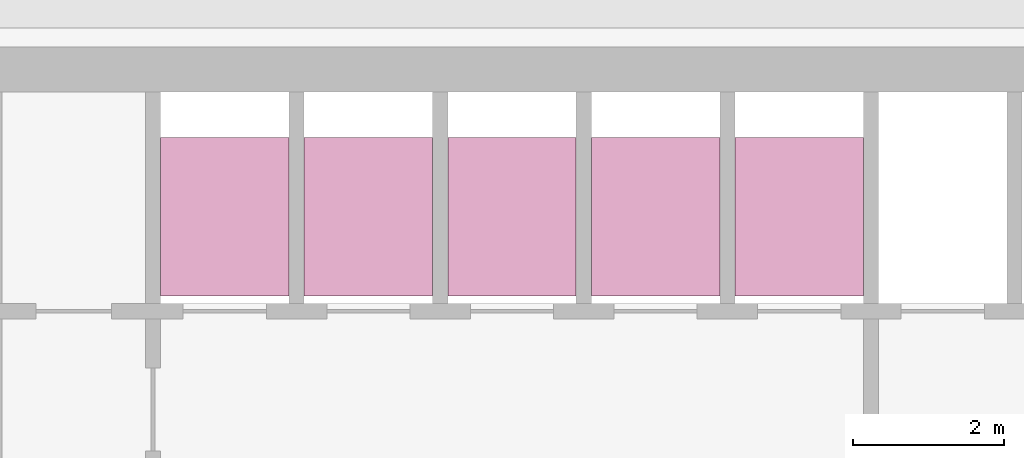
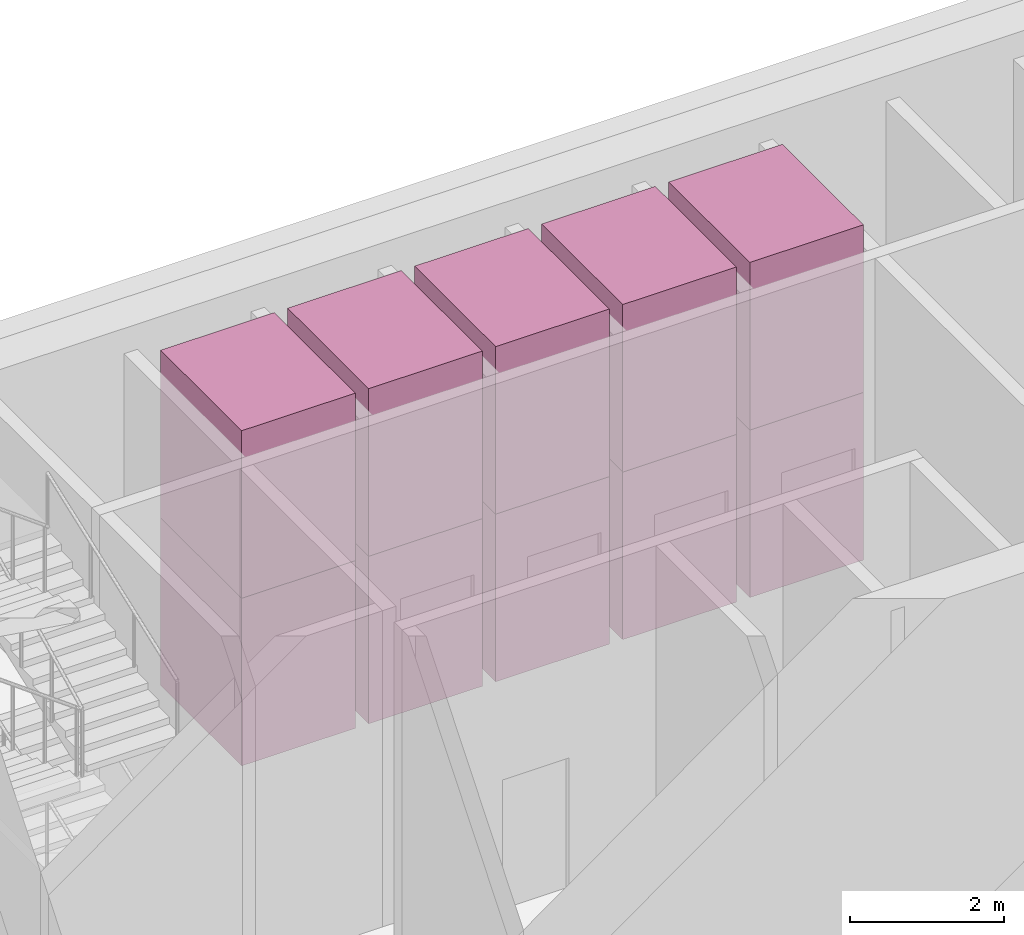
# One storey, part 10 of 10: 10 transport elements.
"""IFC4 building model written with IfcOpenShell, lengths in metres."""

from ifc_helpers import new_model, si_unit, direction, frame, origin, origin_2d, place, context, subcontext, project, spatial, rectangle, extrude, material, type_object, element, save


model = new_model("IFC4")

# Units and contexts
model_context = context("Model", 3, precision=1e-05, world=origin(), true_north=direction((0.0, 1.0)))
body_context = subcontext(model_context, "Body", "Model", "MODEL_VIEW")
ifc_project = project(units=[si_unit("LENGTHUNIT", "METRE"), si_unit("AREAUNIT", "SQUARE_METRE"), si_unit("VOLUMEUNIT", "CUBIC_METRE"), si_unit("PLANEANGLEUNIT", "RADIAN"), si_unit("MASSUNIT", "GRAM", prefix="KILO")], contexts=[model_context])

# Site, building, storey
site_placement = place(None, origin())
site = spatial("IfcSite", under=ifc_project, at=site_placement, CompositionType="ELEMENT")
building_placement = place(site_placement, origin())
building = spatial("IfcBuilding", under=site, at=building_placement, Name="Altiplano Prism Tower", CompositionType="ELEMENT")
storey_placement = place(building_placement, frame((0.0, 0.0, 233.800048828125)))
storey = spatial("IfcBuildingStorey", under=building, at=storey_placement, Name="L60", CompositionType="ELEMENT", Elevation=233.800048828125)

# Transport elements
ifc_material = material(Name="Stainless steel lift car", Category="steel")
transport_element_type = type_object("IfcTransportElementType", Name="Passenger lift car 1600 x 2100", PredefinedType="ELEVATOR", material=ifc_material)
for number, where, z_axis, x_axis, name in (
    (1, (79.050048828125, 101.75, 0.050048828125), (0.0, 0.0, 1.0), (1.0, 0.0, 0.0), "High Zone Passenger Lift 1"),
    (2, (79.050048828125, 101.75, 2.699951171875), (0.0, 0.0, 1.0), (1.0, 0.0, 0.0), "High Zone Passenger Lift 1"),
    (3, (80.949951171875, 101.75, 0.050048828125), (0.0, 0.0, 1.0), (1.0, 0.0, 0.0), "High Zone Passenger Lift 2"),
    (4, (80.949951171875, 101.75, 2.699951171875), (0.0, 0.0, 1.0), (1.0, 0.0, 0.0), "High Zone Passenger Lift 2"),
    (5, (82.85009765625, 101.75, 0.050048828125), (0.0, 0.0, 1.0), (1.0, 0.0, 0.0), "High Zone Passenger Lift 3"),
    (6, (82.85009765625, 101.75, 2.699951171875), (0.0, 0.0, 1.0), (1.0, 0.0, 0.0), "High Zone Passenger Lift 3"),
    (7, (84.75, 101.75, 0.050048828125), (0.0, 0.0, 1.0), (1.0, 0.0, 0.0), "High Zone Passenger Lift 4"),
    (8, (84.75, 101.75, 2.699951171875), (0.0, 0.0, 1.0), (1.0, 0.0, 0.0), "High Zone Passenger Lift 4"),
    (9, (86.64990234375, 101.75, 0.050048828125), (0.0, 0.0, 1.0), (1.0, 0.0, 0.0), "High Zone Passenger Lift 5"),
    (10, (86.64990234375, 101.75, 2.699951171875), (0.0, 0.0, 1.0), (1.0, 0.0, 0.0), "High Zone Passenger Lift 5"),
):
    element("IfcTransportElement", number, at=place(storey_placement, frame(where, z_axis=z_axis, x_axis=x_axis)), inside=storey, type_object=transport_element_type, Name=name, PredefinedType="ELEVATOR", context=body_context, shape_type="SweptSolid", body=[
        extrude(rectangle(XDim=1.699951171875, YDim=2.10009765625, at=origin_2d()), origin(), (0.0, 0.0, 1.0), 2.64990234375),
    ])

save(model, "model.ifc")
